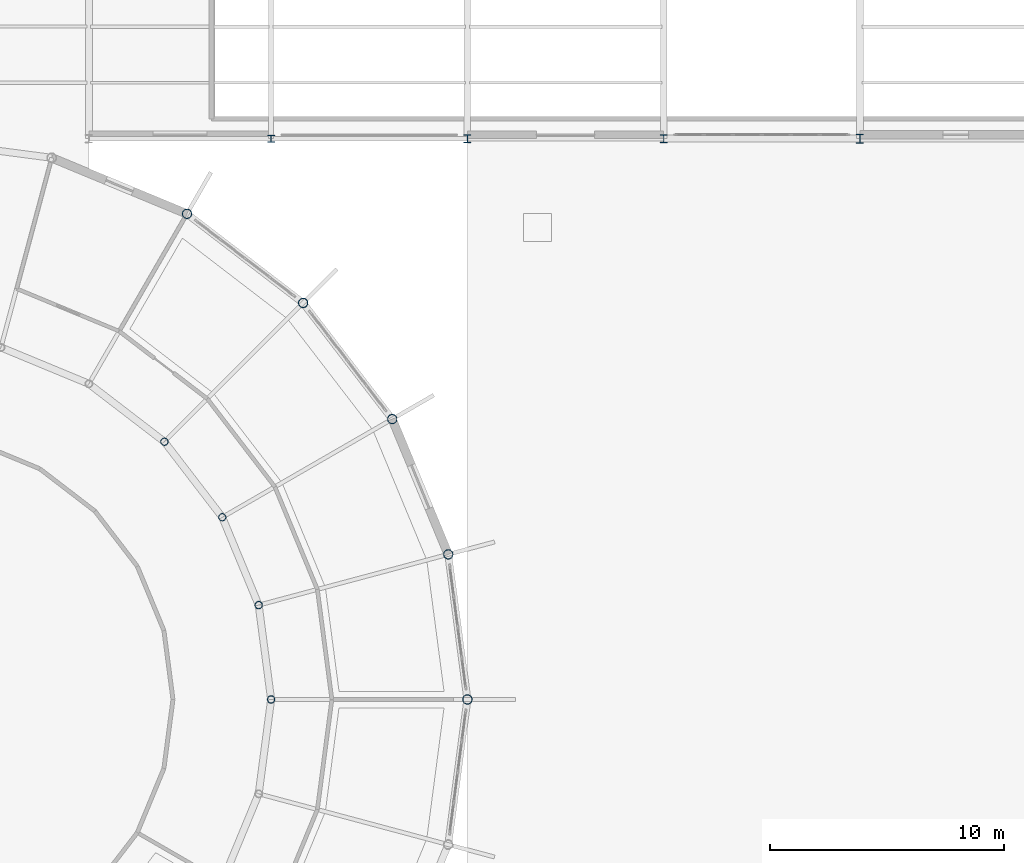
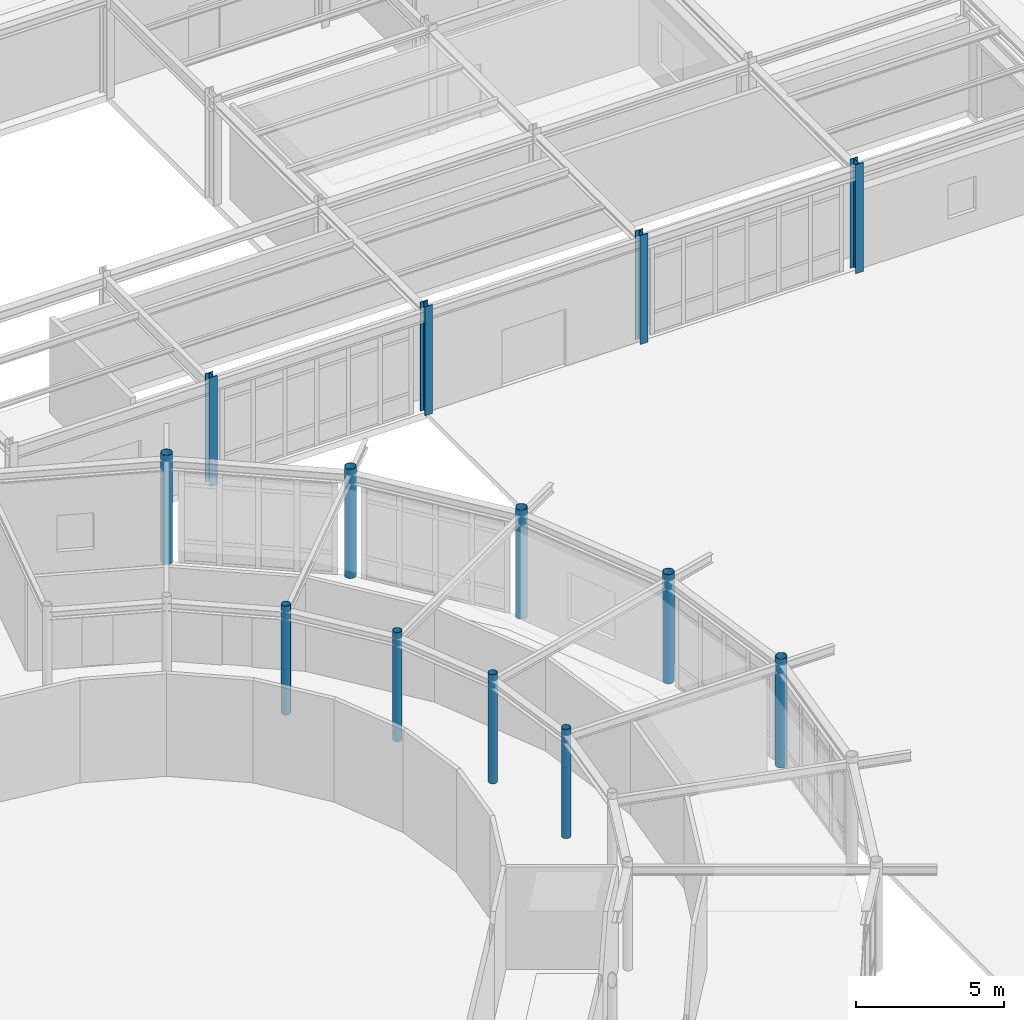
# One storey, part 16 of 101: 13 columns.
"""IFC4 building model written with IfcOpenShell, lengths in metres."""

from ifc_helpers import new_model, si_unit, derived_unit, direction, frame, origin, origin_2d, place, context, subcontext, project, spatial, hollow_circle, i_section, extrude, material, material_profile, profile_set, type_object, element, save


model = new_model("IFC4")

# Units and contexts
model_context = context("Model", 3, precision=1e-05, world=origin(), true_north=direction((0.0, 1.0)))
body_context = subcontext(model_context, "Body", "Model", "MODEL_VIEW")
ifc_project = project(units=[si_unit("LENGTHUNIT", "METRE"), si_unit("AREAUNIT", "SQUARE_METRE"), si_unit("VOLUMEUNIT", "CUBIC_METRE"), si_unit("PLANEANGLEUNIT", "RADIAN"), si_unit("MASSUNIT", "GRAM", prefix="KILO"), derived_unit("THERMALTRANSMITTANCEUNIT", [(si_unit("POWERUNIT", "WATT"), 1), (si_unit("AREAUNIT", "SQUARE_METRE"), -1), (si_unit("THERMODYNAMICTEMPERATUREUNIT", "KELVIN"), -1)])], contexts=[model_context])

# Site, building, storey
site_placement = place(None, origin())
site = spatial("IfcSite", under=ifc_project, at=site_placement, CompositionType="ELEMENT")
building_placement = place(site_placement, origin())
building = spatial("IfcBuilding", under=site, at=building_placement, Name="Yasenodar Specialist Clinic", CompositionType="ELEMENT")
storey_placement = place(building_placement, origin())
storey = spatial("IfcBuildingStorey", under=building, at=storey_placement, Name="L00", CompositionType="ELEMENT", Elevation=0.0)

# Columns
ifc_material = material(Name="Steel S355", Category="steel")
ifc_material_profile_1 = material_profile(ifc_material, hollow_circle(Radius=0.161865234375, WallThickness=0.01611328125, at=origin_2d()), Name="CHS 323.9x16")
ifc_profile_set_1 = profile_set([ifc_material_profile_1], Name="Steel S355")
column_type_1 = type_object("IfcColumnType", Name="COL-ST-CHS324", PredefinedType="COLUMN", material=ifc_profile_set_1)
for number, where, z_axis, x_axis, name in (
    (1, (96.60009765625, 58.800048828125, 0.0), (0.0, 0.0, 1.0), (1.0, 0.0, 0.0), "L00 Drum V1 Inner Column 01"),
    (2, (96.068359375, 62.837646484375, 0.0), (0.0, 0.0, 1.0), (1.0, 0.0, 0.0), "L00 Drum V1 Inner Column 02"),
    (3, (94.510009765625, 66.60009765625, 0.0), (0.0, 0.0, 1.0), (1.0, 0.0, 0.0), "L00 Drum V1 Inner Column 03"),
    (4, (92.031005859375, 69.830810546875, 0.0), (0.0, 0.0, 1.0), (1.0, 0.0, 0.0), "L00 Drum V1 Inner Column 04"),
):
    element("IfcColumn", number, at=place(storey_placement, frame(where, z_axis=z_axis, x_axis=x_axis)), inside=storey, type_object=column_type_1, Name=name, PredefinedType="COLUMN", context=body_context, shape_type="SweptSolid", body=[
        extrude(hollow_circle(Radius=0.161865234375, WallThickness=0.01611328125, at=origin_2d()), origin(), (0.0, 0.0, 1.0), 4.5),
    ])
ifc_material_profile_2 = material_profile(ifc_material, hollow_circle(Radius=0.203125, WallThickness=0.01611328125, at=origin_2d()), Name="CHS 406.4x16")
ifc_profile_set_2 = profile_set([ifc_material_profile_2], Name="Steel S355")
column_type_2 = type_object("IfcColumnType", Name="COL-ST-CHS406", PredefinedType="COLUMN", material=ifc_profile_set_2)
for number, where, z_axis, x_axis, name in (
    (5, (105.0, 58.800048828125, 0.0), (0.0, 0.0, 1.0), (1.0, 0.0, 0.0), "L00 Drum V1 Outer Column 01"),
    (6, (104.18212890625, 65.01171875, 0.0), (0.0, 0.0, 1.0), (1.0, 0.0, 0.0), "L00 Drum V1 Outer Column 02"),
    (7, (101.78466796875, 70.800048828125, 0.0), (0.0, 0.0, 1.0), (1.0, 0.0, 0.0), "L00 Drum V1 Outer Column 03"),
    (8, (97.970703125, 75.7705078125, 0.0), (0.0, 0.0, 1.0), (1.0, 0.0, 0.0), "L00 Drum V1 Outer Column 04"),
    (9, (93.0, 79.584716796875, 0.0), (0.0, 0.0, 1.0), (1.0, 0.0, 0.0), "L00 Drum V1 Outer Column 05"),
):
    element("IfcColumn", number, at=place(storey_placement, frame(where, z_axis=z_axis, x_axis=x_axis)), inside=storey, type_object=column_type_2, Name=name, PredefinedType="COLUMN", context=body_context, shape_type="SweptSolid", body=[
        extrude(hollow_circle(Radius=0.203125, WallThickness=0.01611328125, at=origin_2d()), origin(), (0.0, 0.0, 1.0), 4.5),
    ])
ifc_material_profile_3 = material_profile(ifc_material, i_section(OverallWidth=0.300048828125, OverallDepth=0.300048828125, WebThickness=0.010986328125, FlangeThickness=0.01904296875, FilletRadius=0.027099609375, at=origin_2d()), Name="HEB 300")
ifc_profile_set_3 = profile_set([ifc_material_profile_3], Name="Steel S355")
column_type_3 = type_object("IfcColumnType", Name="COL-ST-HEB300", PredefinedType="COLUMN", material=ifc_profile_set_3)
column_1_placement = place(storey_placement, frame((96.60009765625, 82.800048828125, 0.0), z_axis=(0.0, 0.0, 1.0), x_axis=(1.0, 0.0, 0.0)))
element("IfcColumn", 10, at=column_1_placement, inside=storey, type_object=column_type_3, Name="L00 Column V5-113", PredefinedType="COLUMN", context=body_context, shape_type="SweptSolid", body=[
    extrude(i_section(OverallWidth=0.300048828125, OverallDepth=0.300048828125, WebThickness=0.010986328125, FlangeThickness=0.01904296875, FilletRadius=0.027099609375, at=origin_2d()), origin(), (0.0, 0.0, 1.0), 4.5),
])
ifc_material_profile_4 = material_profile(ifc_material, i_section(OverallWidth=0.300048828125, OverallDepth=0.340087890625, WebThickness=0.011962890625, FlangeThickness=0.021484375, FilletRadius=0.027099609375, at=origin_2d()), Name="HEB 340")
ifc_profile_set_4 = profile_set([ifc_material_profile_4], Name="Steel S355")
column_type_4 = type_object("IfcColumnType", Name="COL-ST-HEB340", PredefinedType="COLUMN", material=ifc_profile_set_4)
for number, where, z_axis, x_axis, name in (
    (11, (105.0, 82.800048828125, 0.0), (0.0, 0.0, 1.0), (1.0, 0.0, 0.0), "L00 Column V5-122"),
    (12, (113.39990234375, 82.800048828125, 0.0), (0.0, 0.0, 1.0), (1.0, 0.0, 0.0), "L00 Column V5-132"),
):
    element("IfcColumn", number, at=place(storey_placement, frame(where, z_axis=z_axis, x_axis=x_axis)), inside=storey, type_object=column_type_4, Name=name, PredefinedType="COLUMN", context=body_context, shape_type="SweptSolid", body=[
        extrude(i_section(OverallWidth=0.300048828125, OverallDepth=0.340087890625, WebThickness=0.011962890625, FlangeThickness=0.021484375, FilletRadius=0.027099609375, at=origin_2d()), origin(), (0.0, 0.0, 1.0), 4.5),
    ])
ifc_material_profile_5 = material_profile(ifc_material, i_section(OverallWidth=0.300048828125, OverallDepth=0.39990234375, WebThickness=0.013427734375, FlangeThickness=0.02392578125, FilletRadius=0.027099609375, at=origin_2d()), Name="HEB 400")
ifc_profile_set_5 = profile_set([ifc_material_profile_5], Name="Steel S355")
column_type_5 = type_object("IfcColumnType", Name="COL-ST-HEB400", PredefinedType="COLUMN", material=ifc_profile_set_5)
column_2_placement = place(storey_placement, frame((121.800048828125, 82.800048828125, 0.0), z_axis=(0.0, 0.0, 1.0), x_axis=(1.0, 0.0, 0.0)))
element("IfcColumn", 13, at=column_2_placement, inside=storey, type_object=column_type_5, Name="L00 Column V5-141", PredefinedType="COLUMN", context=body_context, shape_type="SweptSolid", body=[
    extrude(i_section(OverallWidth=0.300048828125, OverallDepth=0.39990234375, WebThickness=0.013427734375, FlangeThickness=0.02392578125, FilletRadius=0.027099609375, at=origin_2d()), origin(), (0.0, 0.0, 1.0), 4.5),
])

save(model, "model.ifc")
